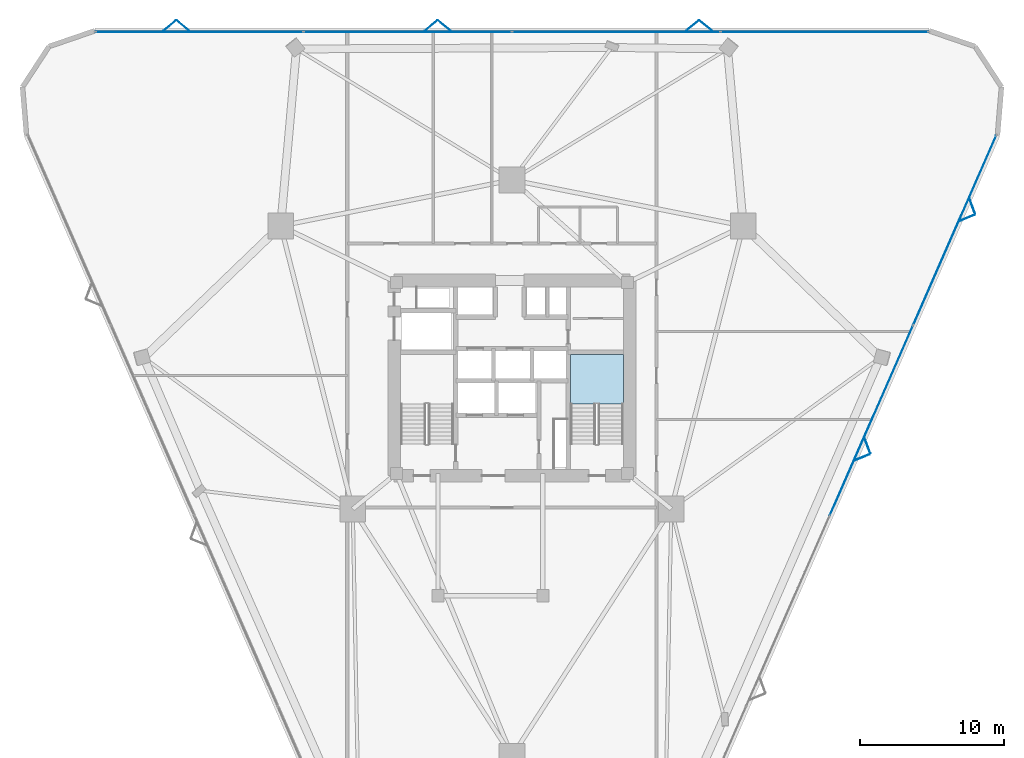
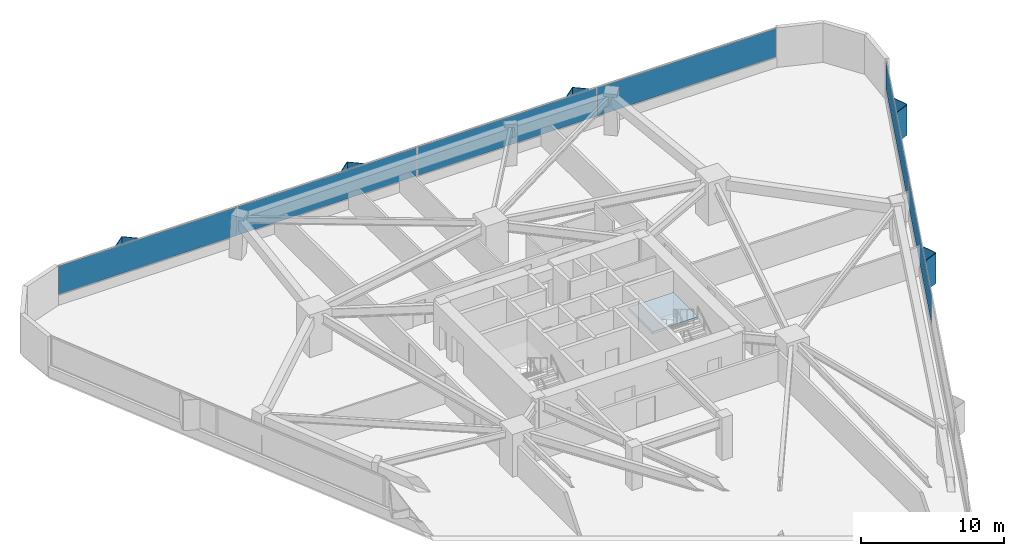
# One storey, part 16 of 20: 16 plates, 1 slab, 3 elements without a shape of their own.
"""IFC4 building model written with IfcOpenShell, lengths in metres."""

from ifc_helpers import new_model, si_unit, direction, frame, origin, origin_2d, place, context, subcontext, project, spatial, polyline, rectangle, outline, extrude, material, layer, layer_set, type_object, element, aggregate, save


model = new_model("IFC4")

# Units and contexts
model_context = context("Model", 3, precision=1e-05, world=origin(), true_north=direction((0.0, 1.0)))
body_context = subcontext(model_context, "Body", "Model", "MODEL_VIEW")
ifc_project = project(units=[si_unit("LENGTHUNIT", "METRE"), si_unit("AREAUNIT", "SQUARE_METRE"), si_unit("VOLUMEUNIT", "CUBIC_METRE"), si_unit("PLANEANGLEUNIT", "RADIAN"), si_unit("MASSUNIT", "GRAM", prefix="KILO")], contexts=[model_context])

# Site, building, storey
site_placement = place(None, origin())
site = spatial("IfcSite", under=ifc_project, at=site_placement, CompositionType="ELEMENT")
building_placement = place(site_placement, origin())
building = spatial("IfcBuilding", under=site, at=building_placement, Name="Talyreon Biosciences Tower", CompositionType="ELEMENT")
storey_placement = place(building_placement, frame((0.0, 0.0, 37.39990234375)))
storey = spatial("IfcBuildingStorey", under=building, at=storey_placement, Name="L09", CompositionType="ELEMENT", Elevation=37.39990234375)

# Curtain wall, plates
ifc_material_1 = material(Name="Thermally broken aluminium and low-E glazing", Category="aluminium")
ifc_layer_1 = layer(ifc_material_1, 0.195068359375)
ifc_layer_set_1 = layer_set([ifc_layer_1], Name="Thermally broken aluminium and low-E glazing")
curtain_wall_type = type_object("IfcCurtainWallType", Name="CurtainWall_Zone1WetLab", PredefinedType="NOTDEFINED", material=ifc_layer_set_1)
curtain_wall_1_placement = place(storey_placement, origin())
curtain_wall_1 = element("IfcCurtainWall", 1, at=curtain_wall_1_placement, inside=storey, type_object=curtain_wall_type, Name="L09 Unitised Curtain Wall FCW-L09-04", PredefinedType="NOTDEFINED")
ifc_material_2 = material(Name="Triple-silver low-E insulated glazing", Category="glass")
ifc_layer_2 = layer(ifc_material_2, 0.031982421875)
ifc_layer_set_2 = layer_set([ifc_layer_2], Name="Triple-silver low-E insulated glazing")
plate_type_1 = type_object("IfcPlateType", Name="CWGlazingPanel_32", PredefinedType="CURTAIN_PANEL", material=ifc_layer_set_2)
plate_1_placement = place(storey_placement, frame((44.231689453125, 92.107421875, 0.875), z_axis=(0.0, 0.0, 1.0), x_axis=(1.0, 0.0, 0.0)))
plate_1 = element("IfcPlate", 2, at=plate_1_placement, type_object=plate_type_1, Name="CW2 panel 1.1", PredefinedType="CURTAIN_PANEL", context=body_context, shape_type="SweptSolid", body=[
    extrude(rectangle(XDim=14.425537109375, YDim=0.031982421875, at=origin_2d()), origin(), (0.0, 0.0, 1.0), 2.43505859375),
])
plate_2_placement = place(storey_placement, frame((58.738525390625, 92.107421875, 0.875), z_axis=(0.0, 0.0, 1.0), x_axis=(1.0, 0.0, 0.0)))
plate_2 = element("IfcPlate", 3, at=plate_2_placement, type_object=plate_type_1, Name="CW2 panel 2.1", PredefinedType="CURTAIN_PANEL", context=body_context, shape_type="SweptSolid", body=[
    extrude(rectangle(XDim=14.4580078125, YDim=0.031982421875, at=origin_2d()), origin(), (0.0, 0.0, 1.0), 2.43505859375),
])
plate_3_placement = place(storey_placement, frame((73.261474609375, 92.107421875, 0.875), z_axis=(0.0, 0.0, 1.0), x_axis=(1.0, 0.0, 0.0)))
plate_3 = element("IfcPlate", 4, at=plate_3_placement, type_object=plate_type_1, Name="CW2 panel 3.1", PredefinedType="CURTAIN_PANEL", context=body_context, shape_type="SweptSolid", body=[
    extrude(rectangle(XDim=14.4580078125, YDim=0.031982421875, at=origin_2d()), origin(), (0.0, 0.0, 1.0), 2.43505859375),
])
plate_4_placement = place(storey_placement, frame((87.768310546875, 92.107421875, 0.875), z_axis=(0.0, 0.0, 1.0), x_axis=(1.0, 0.0, 0.0)))
plate_4 = element("IfcPlate", 5, at=plate_4_placement, type_object=plate_type_1, Name="CW2 panel 4.1", PredefinedType="CURTAIN_PANEL", context=body_context, shape_type="SweptSolid", body=[
    extrude(rectangle(XDim=14.425537109375, YDim=0.031982421875, at=origin_2d()), origin(), (0.0, 0.0, 1.0), 2.43505859375),
])
aggregate(curtain_wall_1, [plate_1, plate_2, plate_3, plate_4])

curtain_wall_2_placement = place(storey_placement, origin())
curtain_wall_2 = element("IfcCurtainWall", 6, at=curtain_wall_2_placement, inside=storey, type_object=curtain_wall_type, Name="L09 Unitised Curtain Wall FCW-L09-08", PredefinedType="NOTDEFINED")
plate_5_placement = place(storey_placement, frame((96.82470703125, 78.287109375, 0.875), z_axis=(0.0, 0.0, 1.0), x_axis=(-0.401222995321, -0.915980408101, 0.0)))
plate_5 = element("IfcPlate", 7, at=plate_5_placement, type_object=plate_type_1, Name="CW2 panel 1.1", PredefinedType="CURTAIN_PANEL", context=body_context, shape_type="SweptSolid", body=[
    extrude(rectangle(XDim=14.38134765625, YDim=0.031982421875, at=origin_2d()), origin(), (0.0, 0.0, 1.0), 2.43505859375),
])
plate_6_placement = place(storey_placement, frame((91.02197265625, 65.039794921875, 0.875), z_axis=(0.0, 0.0, 1.0), x_axis=(-0.401222995321, -0.915980408101, 0.0)))
plate_6 = element("IfcPlate", 8, at=plate_6_placement, type_object=plate_type_1, Name="CW2 panel 2.1", PredefinedType="CURTAIN_PANEL", context=body_context, shape_type="SweptSolid", body=[
    extrude(rectangle(XDim=14.413818359375, YDim=0.031982421875, at=origin_2d()), origin(), (0.0, 0.0, 1.0), 2.43505859375),
])
aggregate(curtain_wall_2, [plate_5, plate_6])

# Plates
ifc_material_3 = material(Name="Ivory GFRC sunshade panel", Category="concrete")
ifc_layer_3 = layer(ifc_material_3, 0.044921875)
ifc_layer_set_3 = layer_set([ifc_layer_3], Name="Ivory GFRC sunshade panel")
plate_type_2 = type_object("IfcPlateType", Name="FoldedVSunshade_NorthFace_SUNSHADE", PredefinedType="USERDEFINED", material=ifc_layer_set_3)
for number, where, z_axis, x_axis, name in (
    (9, (42.173828125, 92.547607421875, 0.7900390625), (0.0, 0.0, 1.0), (0.771624583388, 0.636078220278, 0.0), "L09 Folded V-Sunshade Panel 04.01L"),
    (10, (43.073974609375, 92.547607421875, 0.7900390625), (0.0, 0.0, 1.0), (0.771624583388, -0.636078220278, 0.0), "L09 Folded V-Sunshade Panel 04.01R"),
    (11, (60.373779296875, 92.547607421875, 0.7900390625), (0.0, 0.0, 1.0), (0.771624583388, 0.636078220278, 0.0), "L09 Folded V-Sunshade Panel 04.02L"),
    (12, (61.27392578125, 92.547607421875, 0.7900390625), (0.0, 0.0, 1.0), (0.771624583388, -0.636078220278, 0.0), "L09 Folded V-Sunshade Panel 04.02R"),
    (13, (78.573974609375, 92.547607421875, 0.7900390625), (0.0, 0.0, 1.0), (0.771624583388, 0.636078220278, 0.0), "L09 Folded V-Sunshade Panel 04.03L"),
    (14, (79.473876953125, 92.547607421875, 0.7900390625), (0.0, 0.0, 1.0), (0.771624583388, -0.636078220278, 0.0), "L09 Folded V-Sunshade Panel 04.03R"),
):
    element("IfcPlate", number, at=place(storey_placement, frame(where, z_axis=z_axis, x_axis=x_axis)), inside=storey, type_object=plate_type_2, Name=name, ObjectType="SUNSHADE", PredefinedType="USERDEFINED", context=body_context, shape_type="SweptSolid", body=[
        extrude(rectangle(XDim=1.14990234375, YDim=0.044921875, at=origin_2d()), origin(), (0.0, 0.0, 1.0), 2.5849609375),
    ])
ifc_layer_4 = layer(ifc_material_3, 0.044921875)
ifc_layer_set_4 = layer_set([ifc_layer_4], Name="Ivory GFRC sunshade panel")
plate_type_3 = type_object("IfcPlateType", Name="FoldedVSunshade_SunFace_SUNSHADE", PredefinedType="USERDEFINED", material=ifc_layer_set_4)
for number, where, z_axis, x_axis, name in (
    (15, (98.044677734375, 79.97509765625, 0.7900390625), (0.0, 0.0, 1.0), (0.347672160741, -0.937616162748, 0.0), "L09 Folded V-Sunshade Panel 08.01L"),
    (16, (97.68359375, 79.15087890625, 0.7900390625), (0.0, 0.0, 1.0), (-0.924911408888, -0.380182700434, 0.0), "L09 Folded V-Sunshade Panel 08.01R"),
    (17, (90.7421875, 63.304443359375, 0.7900390625), (0.0, 0.0, 1.0), (0.347672160741, -0.937616162748, 0.0), "L09 Folded V-Sunshade Panel 08.02L"),
    (18, (90.381103515625, 62.47998046875, 0.7900390625), (0.0, 0.0, 1.0), (-0.924911408888, -0.380182700434, 0.0), "L09 Folded V-Sunshade Panel 08.02R"),
):
    element("IfcPlate", number, at=place(storey_placement, frame(where, z_axis=z_axis, x_axis=x_axis)), inside=storey, type_object=plate_type_3, Name=name, ObjectType="SUNSHADE", PredefinedType="USERDEFINED", context=body_context, shape_type="SweptSolid", body=[
        extrude(rectangle(XDim=1.14990234375, YDim=0.044921875, at=origin_2d()), origin(), (0.0, 0.0, 1.0), 2.5849609375),
    ])

# Stair, slab
ifc_material_4 = material(Name="Concrete C40/50", Category="concrete")
stair_type = type_object("IfcStairType", Name="DoglegEscapeStair_3650", PredefinedType="HALF_TURN_STAIR", material=ifc_material_4)
stair_placement = place(storey_placement, origin())
stair = element("IfcStair", 19, at=stair_placement, inside=storey, type_object=stair_type, Name="L09 Core Escape Stair 2", PredefinedType="HALF_TURN_STAIR")
ifc_layer_5 = layer(ifc_material_4, 0.199951171875)
ifc_layer_set_5 = layer_set([ifc_layer_5], Name="Concrete C40/50")
slab_type = type_object("IfcSlabType", Name="StairLandingSlab_200", PredefinedType="LANDING", material=ifc_layer_set_5)
slab_placement = place(storey_placement, frame((0.0, 0.0, 1.625)))
slab = element("IfcSlab", 20, at=slab_placement, type_object=slab_type, Name="ST-2 landing 1", PredefinedType="LANDING", context=body_context, shape_type="SweptSolid", body=[
    extrude(outline(polyline([(73.75, 66.199951171875), (73.75, 69.64990234375), (70.070068359375, 69.64990234375), (70.070068359375, 66.199951171875), (73.75, 66.199951171875)])), origin(), (0.0, 0.0, 1.0), 0.2001953125),
])
aggregate(stair, [slab])

save(model, "model.ifc")
